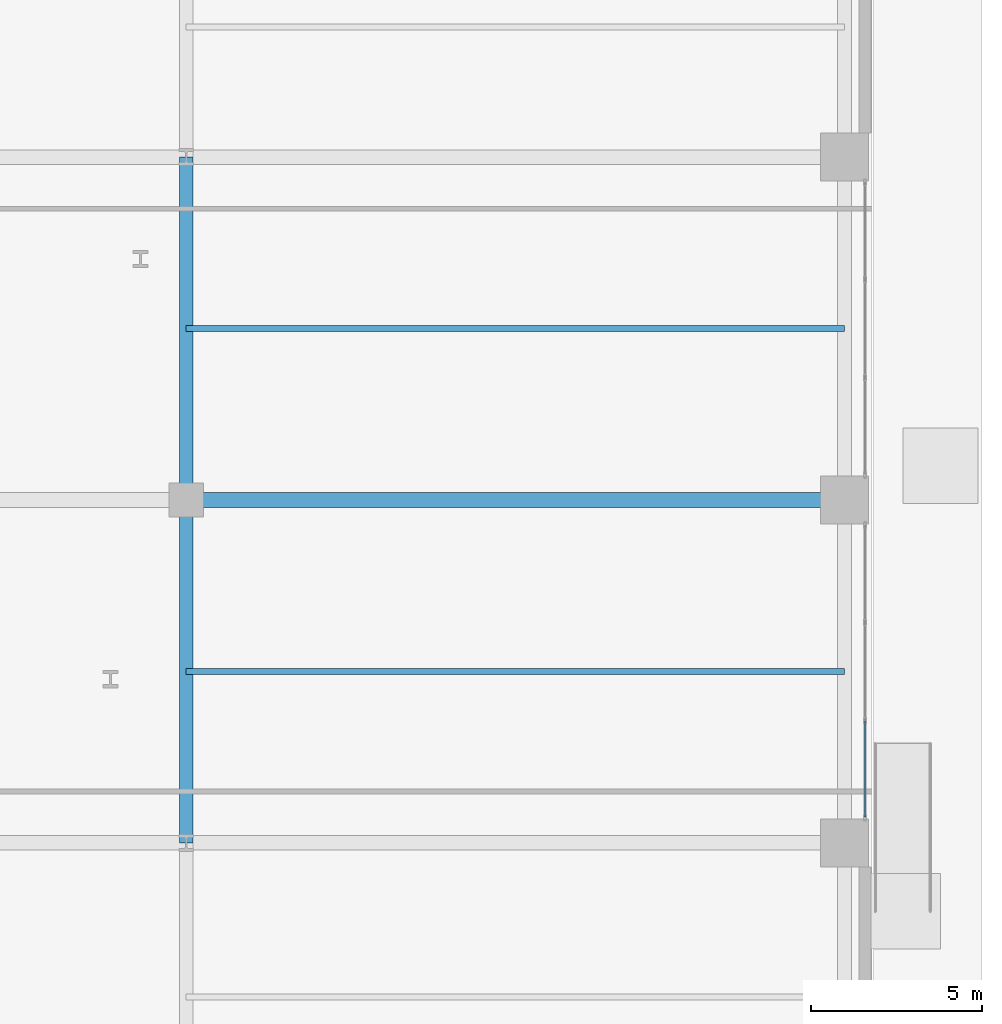
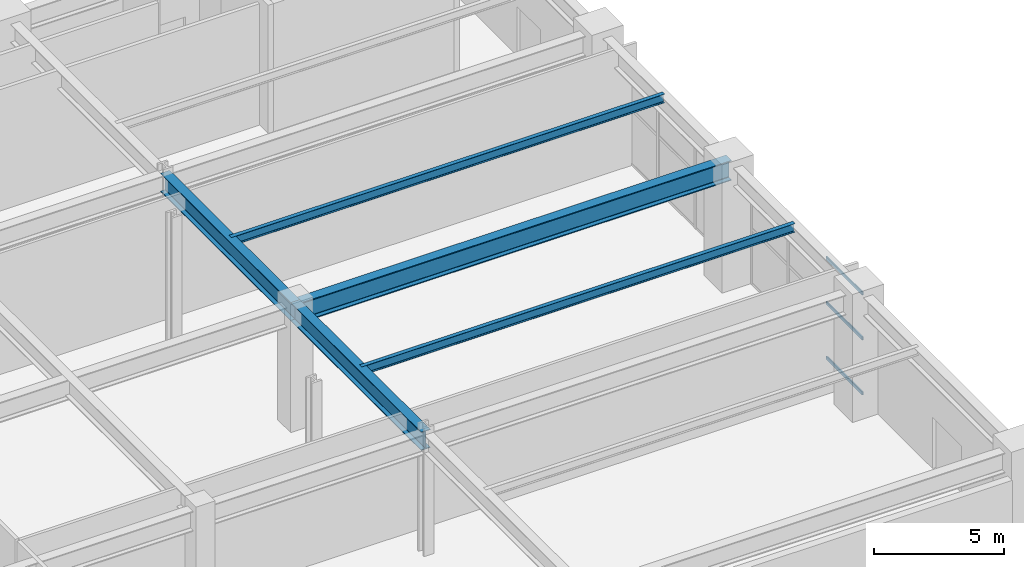
# One storey, part 14 of 31: 5 beams, 3 members, 1 element without a shape of its own.
"""IFC4 building model written with IfcOpenShell, lengths in metres."""

from ifc_helpers import new_model, si_unit, direction, frame, origin, origin_2d, place, context, subcontext, project, spatial, hollow_rectangle, i_section, extrude, material, layer, layer_set, material_profile, profile_set, type_object, element, aggregate, save


model = new_model("IFC4")

# Units and contexts
model_context = context("Model", 3, precision=1e-05, world=origin(), true_north=direction((0.0, 1.0)))
body_context = subcontext(model_context, "Body", "Model", "MODEL_VIEW")
ifc_project = project(units=[si_unit("LENGTHUNIT", "METRE"), si_unit("AREAUNIT", "SQUARE_METRE"), si_unit("VOLUMEUNIT", "CUBIC_METRE"), si_unit("PLANEANGLEUNIT", "RADIAN"), si_unit("MASSUNIT", "GRAM", prefix="KILO")], contexts=[model_context])

# Site, building, storey
site_placement = place(None, origin())
site = spatial("IfcSite", under=ifc_project, at=site_placement, CompositionType="ELEMENT")
building_placement = place(site_placement, origin())
building = spatial("IfcBuilding", under=site, at=building_placement, Name="Soratama Intermodal Tower", CompositionType="ELEMENT")
storey_placement = place(building_placement, origin())
storey = spatial("IfcBuildingStorey", under=building, at=storey_placement, Name="L00", CompositionType="ELEMENT", Elevation=0.0)

# Beams
ifc_material_1 = material(Name="Structural steel ASTM A992 Grade 50", Category="steel")
ifc_material_profile_1 = material_profile(ifc_material_1, i_section(OverallWidth=0.177978515625, OverallDepth=0.406982421875, WebThickness=0.0078125, FlangeThickness=0.0126953125, FilletRadius=0.010009765625, at=origin_2d()), Name="W16X40")
ifc_profile_set_1 = profile_set([ifc_material_profile_1], Name="Structural steel ASTM A992 Grade 50")
beam_type_1 = type_object("IfcBeamType", Name="BM-JST-W16X40", PredefinedType="JOIST", material=ifc_profile_set_1)
for number, where, z_axis, x_axis, name in (
    (1, (64.0, 20.0, 5.4765625), (1.0, 0.0, 0.0), (0.0, 1.0, 0.0), "JST-L00-E2"),
    (2, (64.0, 30.0, 5.4765625), (1.0, 0.0, 0.0), (0.0, 1.0, 0.0), "JST-L00-E3"),
):
    element("IfcBeam", number, at=place(storey_placement, frame(where, z_axis=z_axis, x_axis=x_axis)), inside=storey, type_object=beam_type_1, Name=name, PredefinedType="JOIST", context=body_context, shape_type="SweptSolid", body=[
        extrude(i_section(OverallWidth=0.177978515625, OverallDepth=0.406982421875, WebThickness=0.0078125, FlangeThickness=0.0126953125, FilletRadius=0.010009765625, at=origin_2d()), origin(), (0.0, 0.0, 1.0), 19.199951171875),
    ])
ifc_material_2 = material(Name="Structural steel ASTM A992 Grade 50", Category="steel")
ifc_material_profile_2 = material_profile(ifc_material_2, i_section(OverallWidth=0.403076171875, OverallDepth=0.867919921875, WebThickness=0.02099609375, FlangeThickness=0.03564453125, FilletRadius=0.01806640625, at=origin_2d()), Name="W33X241")
ifc_profile_set_2 = profile_set([ifc_material_profile_2], Name="Structural steel ASTM A992 Grade 50")
beam_type_2 = type_object("IfcBeamType", Name="BM-POD-W33X241", PredefinedType="BEAM", material=ifc_profile_set_2)
for number, where, z_axis, x_axis, name in (
    (3, (64.0, 15.0, 5.24609375), (0.0, 1.0, 0.0), (-1.0, 0.0, 0.0), "L00 Station Girder Y3-2"),
    (4, (64.0, 25.0, 5.24609375), (0.0, 1.0, 0.0), (-1.0, 0.0, 0.0), "L00 Station Girder Y3-3"),
):
    element("IfcBeam", number, at=place(storey_placement, frame(where, z_axis=z_axis, x_axis=x_axis)), inside=storey, type_object=beam_type_2, Name=name, PredefinedType="BEAM", context=body_context, shape_type="SweptSolid", body=[
        extrude(i_section(OverallWidth=0.403076171875, OverallDepth=0.867919921875, WebThickness=0.02099609375, FlangeThickness=0.03564453125, FilletRadius=0.01806640625, at=origin_2d()), origin(), (0.0, 0.0, 1.0), 10.0),
    ])
ifc_material_3 = material(Name="Structural steel ASTM A992 Grade 50", Category="steel")
ifc_material_profile_3 = material_profile(ifc_material_3, i_section(OverallWidth=0.423095703125, OverallDepth=0.93896484375, WebThickness=0.02392578125, FlangeThickness=0.042724609375, FilletRadius=0.02392578125, at=origin_2d()), Name="W36X302")
ifc_profile_set_3 = profile_set([ifc_material_profile_3], Name="Structural steel ASTM A992 Grade 50")
beam_type_3 = type_object("IfcBeamType", Name="BM-POD-W36X302", PredefinedType="BEAM", material=ifc_profile_set_3)
beam_placement = place(storey_placement, frame((64.0, 25.0, 5.21044921875), z_axis=(1.0, 0.0, 0.0), x_axis=(0.0, 1.0, 0.0)))
element("IfcBeam", 5, at=beam_placement, inside=storey, type_object=beam_type_3, Name="L00 Station Girder X3-3", PredefinedType="BEAM", context=body_context, shape_type="SweptSolid", body=[
    extrude(i_section(OverallWidth=0.423095703125, OverallDepth=0.93896484375, WebThickness=0.02392578125, FlangeThickness=0.042724609375, FilletRadius=0.02392578125, at=origin_2d()), origin(), (0.0, 0.0, 1.0), 19.199951171875),
])

# Curtain wall, members
ifc_material_4 = material(Name="Double-glazed aluminium curtain wall", Category="aluminium")
ifc_layer = layer(ifc_material_4, 0.159912109375)
ifc_layer_set = layer_set([ifc_layer], Name="Double-glazed aluminium curtain wall")
curtain_wall_type = type_object("IfcCurtainWallType", Name="CW-SYS-1", PredefinedType="NOTDEFINED", material=ifc_layer_set)
curtain_wall_placement = place(storey_placement, origin())
curtain_wall = element("IfcCurtainWall", 6, at=curtain_wall_placement, inside=storey, type_object=curtain_wall_type, Name="L00 Station Curtain Wall E1", PredefinedType="NOTDEFINED")
ifc_material_5 = material(Name="Anodised aluminium AA 6063-T6", Category="aluminium")
ifc_material_profile_4 = material_profile(ifc_material_5, hollow_rectangle(XDim=0.06494140625, YDim=0.14990234375, WallThickness=0.0048828125, InnerFilletRadius=0.0048828125, OuterFilletRadius=0.010009765625, at=origin_2d()), Name="CWT150X65X5")
ifc_profile_set_4 = profile_set([ifc_material_profile_4], Name="Anodised aluminium AA 6063-T6")
member_type = type_object("IfcMemberType", Name="TT-CWT-1", PredefinedType="USERDEFINED", material=ifc_profile_set_4)
member_1_placement = place(storey_placement, frame((83.800048828125, 15.760009765625, 0.030029296875), z_axis=(0.0, 1.0, 0.0), x_axis=(-1.0, 0.0, 0.0)))
member_1 = element("IfcMember", 7, at=member_1_placement, type_object=member_type, Name="CW-1 transom 1.1", ObjectType="TRANSOM", PredefinedType="USERDEFINED", context=body_context, shape_type="SweptSolid", body=[
    extrude(hollow_rectangle(XDim=0.06494140625, YDim=0.14990234375, WallThickness=0.0048828125, InnerFilletRadius=0.0048828125, OuterFilletRadius=0.010009765625, at=origin_2d()), origin(), (0.0, 0.0, 1.0), 2.776611328125),
])
member_2_placement = place(storey_placement, frame((83.800048828125, 15.760009765625, 2.60009765625), z_axis=(0.0, 1.0, 0.0), x_axis=(-1.0, 0.0, 0.0)))
member_2 = element("IfcMember", 8, at=member_2_placement, type_object=member_type, Name="CW-1 transom 1.2", ObjectType="TRANSOM", PredefinedType="USERDEFINED", context=body_context, shape_type="SweptSolid", body=[
    extrude(hollow_rectangle(XDim=0.06494140625, YDim=0.14990234375, WallThickness=0.0048828125, InnerFilletRadius=0.0048828125, OuterFilletRadius=0.010009765625, at=origin_2d()), origin(), (0.0, 0.0, 1.0), 2.776611328125),
])
member_3_placement = place(storey_placement, frame((83.800048828125, 15.760009765625, 4.7060546875), z_axis=(0.0, 1.0, 0.0), x_axis=(-1.0, 0.0, 0.0)))
member_3 = element("IfcMember", 9, at=member_3_placement, type_object=member_type, Name="CW-1 transom 1.3", ObjectType="TRANSOM", PredefinedType="USERDEFINED", context=body_context, shape_type="SweptSolid", body=[
    extrude(hollow_rectangle(XDim=0.06494140625, YDim=0.14990234375, WallThickness=0.0048828125, InnerFilletRadius=0.0048828125, OuterFilletRadius=0.010009765625, at=origin_2d()), origin(), (0.0, 0.0, 1.0), 2.776611328125),
])
aggregate(curtain_wall, [member_1, member_2, member_3])

save(model, "model.ifc")
